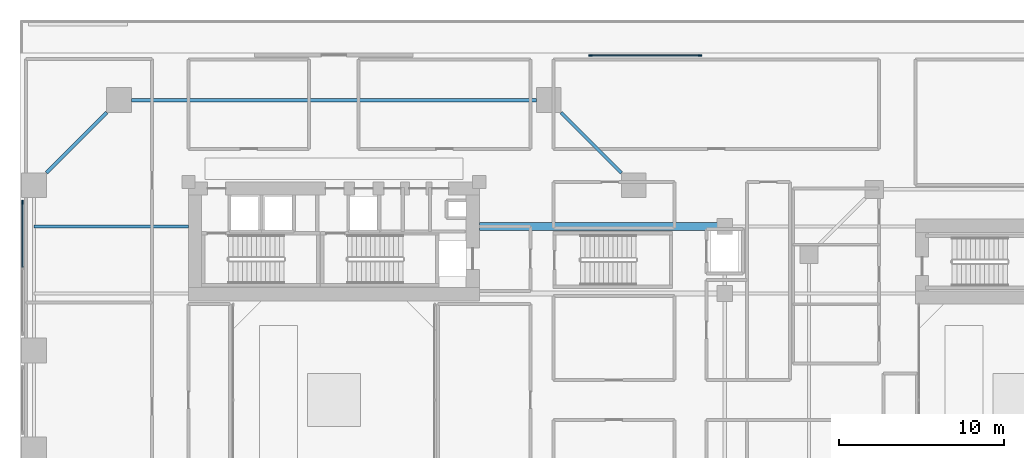
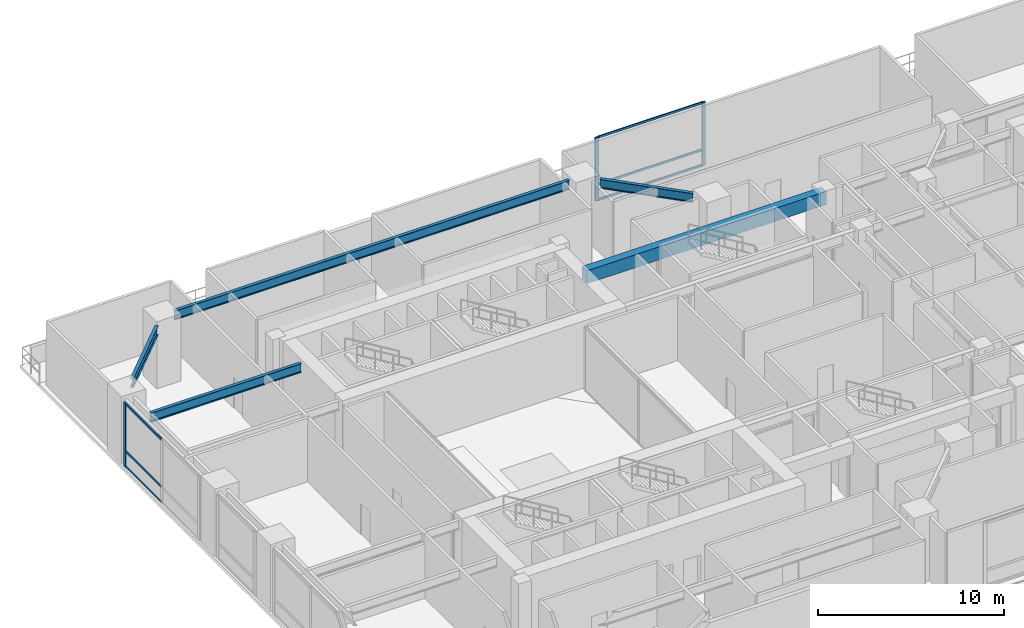
# One storey, part 6 of 19: 9 members, 5 beams, 2 elements without a shape of their own.
"""IFC4 building model written with IfcOpenShell, lengths in metres."""

from ifc_helpers import new_model, si_unit, direction, frame, origin, origin_2d, place, context, subcontext, project, spatial, rectangle, i_section, extrude, source, transform, mapped, material, layer, layer_set, material_profile, profile_set, type_object, element, aggregate, save


model = new_model("IFC4")

# Units and contexts
model_context = context("Model", 3, precision=1e-05, world=origin(), true_north=direction((0.0, 1.0)))
body_context = subcontext(model_context, "Body", "Model", "MODEL_VIEW")
ifc_project = project(units=[si_unit("LENGTHUNIT", "METRE"), si_unit("AREAUNIT", "SQUARE_METRE"), si_unit("VOLUMEUNIT", "CUBIC_METRE"), si_unit("PLANEANGLEUNIT", "RADIAN"), si_unit("MASSUNIT", "GRAM", prefix="KILO"), si_unit("THERMODYNAMICTEMPERATUREUNIT", "KELVIN"), si_unit("POWERUNIT", "WATT")], contexts=[model_context])

# Site, building, storey
site_placement = place(None, origin())
site = spatial("IfcSite", under=ifc_project, at=site_placement, CompositionType="ELEMENT")
building_placement = place(site_placement, origin())
building = spatial("IfcBuilding", under=site, at=building_placement, Name="Qiaomeng Ring Towers", CompositionType="ELEMENT")
storey_placement = place(building_placement, frame((0.0, 0.0, 5.0)))
storey = spatial("IfcBuildingStorey", under=building, at=storey_placement, Name="L01", CompositionType="ELEMENT", Elevation=5.0)

# Beams
ifc_material_1 = material(Name="Steel Q355B", Category="steel")
ifc_material_profile_1 = material_profile(ifc_material_1, i_section(OverallWidth=0.199951171875, OverallDepth=0.60009765625, WebThickness=0.010986328125, FlangeThickness=0.01708984375, FilletRadius=0.02197265625, at=origin_2d()), Name="HN 600x200x11x17")
ifc_profile_set_1 = profile_set([ifc_material_profile_1], Name="Steel Q355B")
beam_type_1 = type_object("IfcBeamType", Name="STR-BM-HN600", PredefinedType="BEAM", material=ifc_profile_set_1)
shared_shape_1 = source(origin(), body_context, "Body", "SweptSolid", [
    extrude(i_section(OverallWidth=0.199951171875, OverallDepth=0.60009765625, WebThickness=0.010986328125, FlangeThickness=0.01708984375, FilletRadius=0.02197265625, at=origin_2d()), origin(), (0.0, 0.0, 1.0), 24.501953125),
])
beam_1_placement = place(storey_placement, frame((31.2509765625, 41.14990234375, 3.8798828125), z_axis=(-1.0, 0.0, 0.0), x_axis=(0.0, -1.0, 0.0)))
element("IfcBeam", 1, at=beam_1_placement, inside=storey, type_object=beam_type_1, Name="L01 beam STR-SP-L01-T1-4", PredefinedType="BEAM", context=body_context, shape_type="MappedRepresentation", body=[
    mapped(shared_shape_1, transform((0.0, 0.0, 0.0), x_axis=(1.0, 0.0, 0.0), y_axis=(0.0, 1.0, 0.0), z_axis=(0.0, 0.0, 1.0), scale=1.0)),
])
shared_shape_2 = source(origin(), body_context, "Body", "SweptSolid", [
    extrude(i_section(OverallWidth=0.199951171875, OverallDepth=0.60009765625, WebThickness=0.010986328125, FlangeThickness=0.01708984375, FilletRadius=0.02197265625, at=origin_2d()), origin(), (0.0, 0.0, 1.0), 5.163818359375),
])
for number, where, z_axis, x_axis, name in (
    (2, (36.400634765625, 36.749267578125, 3.8798828125), (-0.707106781187, 0.707106781187, 0.0), (-0.707106781187, -0.707106781187, 0.0), "L01 beam STR-SP-L01-T1-3"),
    (3, (5.250732421875, 40.400634765625, 3.8798828125), (-0.707106781187, -0.707106781187, 0.0), (0.707106781187, -0.707106781187, 0.0), "L01 beam STR-SP-L01-T1-5"),
):
    element("IfcBeam", number, at=place(storey_placement, frame(where, z_axis=z_axis, x_axis=x_axis)), inside=storey, type_object=beam_type_1, Name=name, PredefinedType="BEAM", context=body_context, shape_type="MappedRepresentation", body=[
        mapped(shared_shape_2, transform((0.0, 0.0, 0.0), x_axis=(1.0, 0.0, 0.0), y_axis=(0.0, 1.0, 0.0), z_axis=(0.0, 0.0, 1.0), scale=1.0)),
    ])
shared_shape_3 = source(origin(), body_context, "Body", "SweptSolid", [
    extrude(i_section(OverallWidth=0.199951171875, OverallDepth=0.60009765625, WebThickness=0.010986328125, FlangeThickness=0.01708984375, FilletRadius=0.02197265625, at=origin_2d()), origin(), (0.0, 0.0, 1.0), 9.349853515625),
])
beam_2_placement = place(storey_placement, frame((0.85009765625, 33.5, 3.8798828125), z_axis=(1.0, 0.0, 0.0), x_axis=(0.0, 1.0, 0.0)))
element("IfcBeam", 4, at=beam_2_placement, inside=storey, type_object=beam_type_1, Name="L01 beam STR-BM-L01-W-3", PredefinedType="BEAM", context=body_context, shape_type="MappedRepresentation", body=[
    mapped(shared_shape_3, transform((0.0, 0.0, 0.0), x_axis=(1.0, 0.0, 0.0), y_axis=(0.0, 1.0, 0.0), z_axis=(0.0, 0.0, 1.0), scale=1.0)),
])
ifc_material_2 = material(Name="Concrete C50", Category="concrete")
ifc_material_profile_2 = material_profile(ifc_material_2, rectangle(XDim=0.5, YDim=0.85009765625, at=origin_2d()), Name="RC BM 500x850")
ifc_profile_set_2 = profile_set([ifc_material_profile_2], Name="Concrete C50")
beam_type_2 = type_object("IfcBeamType", Name="STR-BM-RC850", PredefinedType="LINTEL", material=ifc_profile_set_2)
shared_shape_4 = source(origin(), body_context, "Body", "SweptSolid", [
    extrude(rectangle(XDim=0.5, YDim=0.85009765625, at=origin_2d()), origin(), (0.0, 0.0, 1.0), 14.849853515625),
])
beam_3_placement = place(storey_placement, frame((27.800048828125, 33.5, 3.7548828125), z_axis=(1.0, 0.0, 0.0), x_axis=(0.0, 1.0, 0.0)))
element("IfcBeam", 5, at=beam_3_placement, inside=storey, type_object=beam_type_2, Name="L01 beam STR-CB-L01-T1N", PredefinedType="LINTEL", context=body_context, shape_type="MappedRepresentation", body=[
    mapped(shared_shape_4, transform((0.0, 0.0, 0.0), x_axis=(1.0, 0.0, 0.0), y_axis=(0.0, 1.0, 0.0), z_axis=(0.0, 0.0, 1.0), scale=1.0)),
])

# Curtain wall, members
ifc_material_3 = material(Name="Fluorocarbon dark-grey aluminium", Category="aluminium")
ifc_layer = layer(ifc_material_3, 0.179931640625, Name="Fluorocarbon dark-grey aluminium")
ifc_layer_set = layer_set([ifc_layer], Name="Fluorocarbon dark-grey aluminium")
curtain_wall_type = type_object("IfcCurtainWallType", Name="ARC-CW-1", PredefinedType="NOTDEFINED", material=ifc_layer_set)
curtain_wall_1_placement = place(storey_placement, origin())
curtain_wall_1 = element("IfcCurtainWall", 6, at=curtain_wall_1_placement, inside=storey, type_object=curtain_wall_type, Name="L01 Curtain Wall CW1", PredefinedType="NOTDEFINED")
ifc_material_profile_3 = material_profile(ifc_material_3, rectangle(XDim=0.070068359375, YDim=0.139892578125, at=origin_2d()), Name="ALU TRAN 70x140")
ifc_profile_set_3 = profile_set([ifc_material_profile_3], Name="Fluorocarbon dark-grey aluminium")
member_type_1 = type_object("IfcMemberType", Name="ARC-CWT-140", PredefinedType="USERDEFINED", material=ifc_profile_set_3)
shared_shape_5 = source(origin(), body_context, "Body", "SweptSolid", [
    extrude(rectangle(XDim=0.070068359375, YDim=0.139892578125, at=origin_2d()), origin(), (0.0, 0.0, 1.0), 3.889892578125),
])
member_1_placement = place(storey_placement, frame((0.14990234375, 31.0400390625, 0.034912109375), z_axis=(0.0, 1.0, 0.0), x_axis=(-1.0, 0.0, 0.0)))
member_1 = element("IfcMember", 7, at=member_1_placement, type_object=member_type_1, Name="CW1 transom 2.1", ObjectType="TRANSOM", PredefinedType="USERDEFINED", context=body_context, shape_type="MappedRepresentation", body=[
    mapped(shared_shape_5, transform((0.0, 0.0, 0.0), x_axis=(1.0, 0.0, 0.0), y_axis=(0.0, 1.0, 0.0), z_axis=(0.0, 0.0, 1.0), scale=1.0)),
])
member_2_placement = place(storey_placement, frame((0.14990234375, 31.0400390625, 1.050048828125), z_axis=(0.0, 1.0, 0.0), x_axis=(-1.0, 0.0, 0.0)))
member_2 = element("IfcMember", 8, at=member_2_placement, type_object=member_type_1, Name="CW1 transom 2.2", ObjectType="TRANSOM", PredefinedType="USERDEFINED", context=body_context, shape_type="MappedRepresentation", body=[
    mapped(shared_shape_5, transform((0.0, 0.0, 0.0), x_axis=(1.0, 0.0, 0.0), y_axis=(0.0, 1.0, 0.0), z_axis=(0.0, 0.0, 1.0), scale=1.0)),
])
member_3_placement = place(storey_placement, frame((0.14990234375, 31.0400390625, 4.14501953125), z_axis=(0.0, 1.0, 0.0), x_axis=(-1.0, 0.0, 0.0)))
member_3 = element("IfcMember", 9, at=member_3_placement, type_object=member_type_1, Name="CW1 transom 2.3", ObjectType="TRANSOM", PredefinedType="USERDEFINED", context=body_context, shape_type="MappedRepresentation", body=[
    mapped(shared_shape_5, transform((0.0, 0.0, 0.0), x_axis=(1.0, 0.0, 0.0), y_axis=(0.0, 1.0, 0.0), z_axis=(0.0, 0.0, 1.0), scale=1.0)),
])
ifc_material_profile_4 = material_profile(ifc_material_3, rectangle(XDim=0.080078125, YDim=0.219970703125, at=origin_2d()), Name="ALU MULL 80x220")
ifc_profile_set_4 = profile_set([ifc_material_profile_4], Name="Fluorocarbon dark-grey aluminium")
member_type_2 = type_object("IfcMemberType", Name="ARC-CWM-180", PredefinedType="MULLION", material=ifc_profile_set_4)
shared_shape_6 = source(origin(), body_context, "Body", "SweptSolid", [
    extrude(rectangle(XDim=0.080078125, YDim=0.219970703125, at=origin_2d()), origin(), (0.0, 0.0, 1.0), 4.179931640625),
])
member_4_placement = place(storey_placement, frame((0.14990234375, 34.969970703125, 0.0), z_axis=(0.0, 0.0, 1.0), x_axis=(-1.0, 0.0, 0.0)))
member_4 = element("IfcMember", 10, at=member_4_placement, type_object=member_type_2, Name="CW1 mullion 3", PredefinedType="MULLION", context=body_context, shape_type="MappedRepresentation", body=[
    mapped(shared_shape_6, transform((0.0, 0.0, 0.0), x_axis=(1.0, 0.0, 0.0), y_axis=(0.0, 1.0, 0.0), z_axis=(0.0, 0.0, 1.0), scale=1.0)),
])
aggregate(curtain_wall_1, [member_4, member_1, member_2, member_3])

curtain_wall_2_placement = place(storey_placement, origin())
curtain_wall_2 = element("IfcCurtainWall", 11, at=curtain_wall_2_placement, inside=storey, type_object=curtain_wall_type, Name="L01 Curtain Wall CW1", PredefinedType="NOTDEFINED")
member_5_placement = place(storey_placement, frame((34.5400390625, 43.85009765625, 0.0), z_axis=(0.0, 0.0, 1.0), x_axis=(0.0, 1.0, 0.0)))
member_5 = element("IfcMember", 12, at=member_5_placement, type_object=member_type_2, Name="CW1 mullion 1", PredefinedType="MULLION", context=body_context, shape_type="MappedRepresentation", body=[
    mapped(shared_shape_6, transform((0.0, 0.0, 0.0), x_axis=(1.0, 0.0, 0.0), y_axis=(0.0, 1.0, 0.0), z_axis=(0.0, 0.0, 1.0), scale=1.0)),
])
member_6_placement = place(storey_placement, frame((41.159912109375, 43.85009765625, 0.0), z_axis=(0.0, 0.0, 1.0), x_axis=(0.0, 1.0, 0.0)))
member_6 = element("IfcMember", 13, at=member_6_placement, type_object=member_type_2, Name="CW1 mullion 2", PredefinedType="MULLION", context=body_context, shape_type="MappedRepresentation", body=[
    mapped(shared_shape_6, transform((0.0, 0.0, 0.0), x_axis=(1.0, 0.0, 0.0), y_axis=(0.0, 1.0, 0.0), z_axis=(0.0, 0.0, 1.0), scale=1.0)),
])
shared_shape_7 = source(origin(), body_context, "Body", "SweptSolid", [
    extrude(rectangle(XDim=0.070068359375, YDim=0.139892578125, at=origin_2d()), origin(), (0.0, 0.0, 1.0), 6.5400390625),
])
member_7_placement = place(storey_placement, frame((34.580078125, 43.85009765625, 0.034912109375), z_axis=(1.0, 0.0, 0.0), x_axis=(0.0, 1.0, 0.0)))
member_7 = element("IfcMember", 14, at=member_7_placement, type_object=member_type_1, Name="CW1 transom 1.1", ObjectType="TRANSOM", PredefinedType="USERDEFINED", context=body_context, shape_type="MappedRepresentation", body=[
    mapped(shared_shape_7, transform((0.0, 0.0, 0.0), x_axis=(1.0, 0.0, 0.0), y_axis=(0.0, 1.0, 0.0), z_axis=(0.0, 0.0, 1.0), scale=1.0)),
])
member_8_placement = place(storey_placement, frame((34.580078125, 43.85009765625, 1.050048828125), z_axis=(1.0, 0.0, 0.0), x_axis=(0.0, 1.0, 0.0)))
member_8 = element("IfcMember", 15, at=member_8_placement, type_object=member_type_1, Name="CW1 transom 1.2", ObjectType="TRANSOM", PredefinedType="USERDEFINED", context=body_context, shape_type="MappedRepresentation", body=[
    mapped(shared_shape_7, transform((0.0, 0.0, 0.0), x_axis=(1.0, 0.0, 0.0), y_axis=(0.0, 1.0, 0.0), z_axis=(0.0, 0.0, 1.0), scale=1.0)),
])
member_9_placement = place(storey_placement, frame((34.580078125, 43.85009765625, 4.14501953125), z_axis=(1.0, 0.0, 0.0), x_axis=(0.0, 1.0, 0.0)))
member_9 = element("IfcMember", 16, at=member_9_placement, type_object=member_type_1, Name="CW1 transom 1.3", ObjectType="TRANSOM", PredefinedType="USERDEFINED", context=body_context, shape_type="MappedRepresentation", body=[
    mapped(shared_shape_7, transform((0.0, 0.0, 0.0), x_axis=(1.0, 0.0, 0.0), y_axis=(0.0, 1.0, 0.0), z_axis=(0.0, 0.0, 1.0), scale=1.0)),
])
aggregate(curtain_wall_2, [member_5, member_6, member_7, member_8, member_9])

save(model, "model.ifc")
